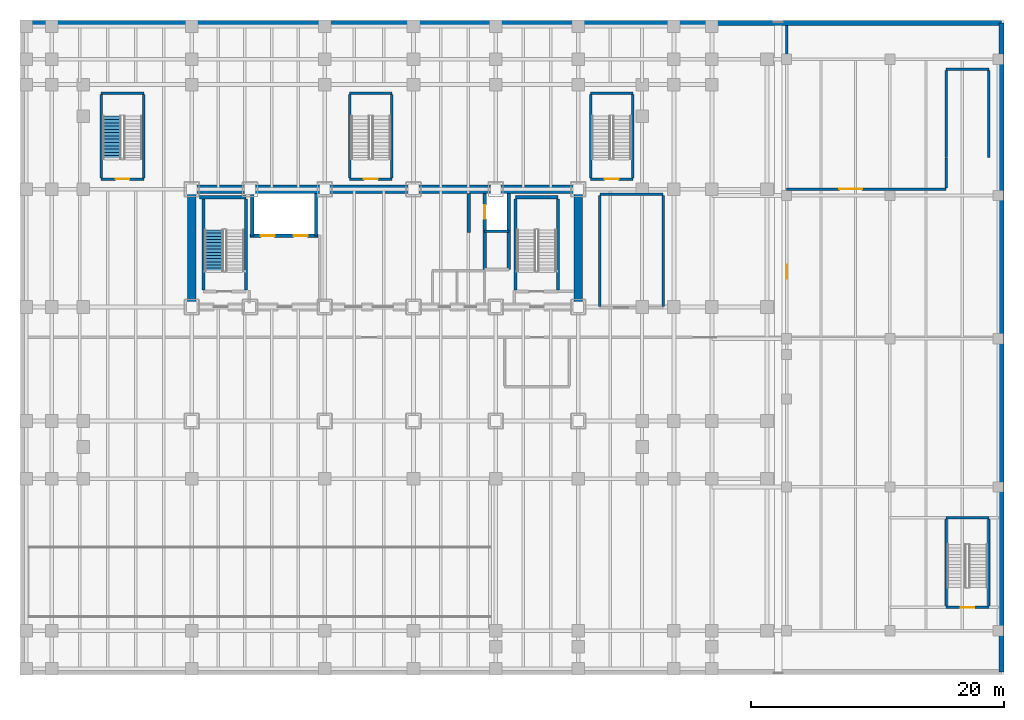
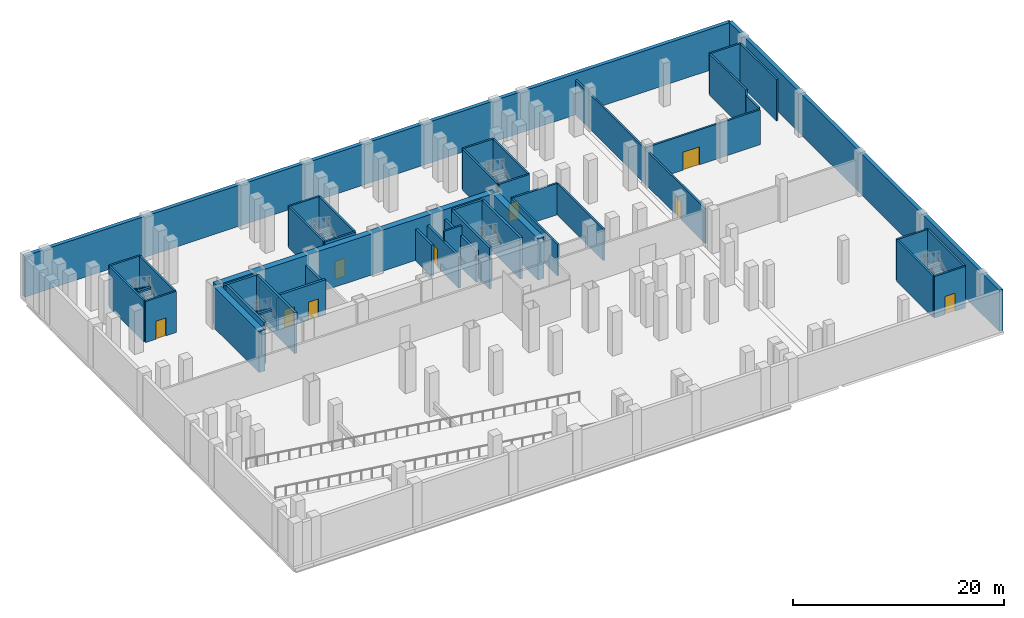
# One storey, part 10 of 18: 43 walls, 9 doors, 2 stair flights, 9 openings, 2 elements without a shape of their own.
"""IFC4 building model written with IfcOpenShell, lengths in metres."""

from ifc_helpers import new_model, si_unit, direction, frame, frame_2d, origin, place, context, subcontext, project, spatial, polyline, rectangle, outline, extrude, material, layer, layer_set, type_object, element, fill, aggregate, save


model = new_model("IFC4")

# Units and contexts
model_context = context("Model", 3, precision=1e-05, world=origin(), true_north=direction((0.0, 1.0)))
body_context = subcontext(model_context, "Body", "Model", "MODEL_VIEW")
ifc_project = project(units=[si_unit("LENGTHUNIT", "METRE"), si_unit("AREAUNIT", "SQUARE_METRE"), si_unit("VOLUMEUNIT", "CUBIC_METRE"), si_unit("PLANEANGLEUNIT", "RADIAN"), si_unit("MASSUNIT", "GRAM", prefix="KILO")], contexts=[model_context])

# Site, building, storey
site_placement = place(None, origin())
site = spatial("IfcSite", under=ifc_project, at=site_placement, CompositionType="ELEMENT")
building_placement = place(site_placement, origin())
building = spatial("IfcBuilding", under=site, at=building_placement, Name="Noeulbin Bourse Tower", CompositionType="ELEMENT")
storey_placement = place(building_placement, frame((0.0, 0.0, -5.0)))
storey = spatial("IfcBuildingStorey", under=building, at=storey_placement, Name="B01", CompositionType="ELEMENT", Elevation=-5.0)

# Walls
ifc_material_1 = material(Name="Concrete C60/75", Category="concrete")
ifc_layer_1 = layer(ifc_material_1, 0.64990234375)
ifc_layer_set_1 = layer_set([ifc_layer_1], Name="Concrete C60/75")
wall_type_1 = type_object("IfcWallType", Name="WAL-CORE-650", PredefinedType="SHEAR", material=ifc_layer_set_1)
wall_1_placement = place(storey_placement, frame((13.5, 38.300048828125, 0.0), z_axis=(0.0, 0.0, 1.0), x_axis=(1.0, 0.0, 0.0)))
element("IfcWall", 1, at=wall_1_placement, inside=storey, type_object=wall_type_1, Name="Rear Core North Shear Wall B01", PredefinedType="SHEAR", context=body_context, shape_type="SweptSolid", body=[
    extrude(rectangle(XDim=30.5, YDim=0.64990234375, at=frame_2d((15.25, 0.0))), origin(), (0.0, 0.0, 1.0), 4.75),
])
for number, where, z_axis, x_axis, name in (
    (2, (13.5, 29.35009765625, 0.0), (0.0, 0.0, 1.0), (0.0, 1.0, 0.0), "Rear Core West Shear Wall B01"),
    (3, (44.0, 29.35009765625, 0.0), (0.0, 0.0, 1.0), (0.0, 1.0, 0.0), "Rear Core East Shear Wall B01"),
):
    element("IfcWall", number, at=place(storey_placement, frame(where, z_axis=z_axis, x_axis=x_axis)), inside=storey, type_object=wall_type_1, Name=name, PredefinedType="SHEAR", context=body_context, shape_type="SweptSolid", body=[
        extrude(rectangle(XDim=8.599853515625, YDim=0.64990234375, at=frame_2d((4.2998046875, 0.0))), origin(), (0.0, 0.0, 1.0), 4.75),
    ])
ifc_material_2 = material(Name="Concrete C40/50", Category="concrete")
ifc_layer_2 = layer(ifc_material_2, 0.199951171875)
ifc_layer_set_2 = layer_set([ifc_layer_2], Name="Concrete C40/50")
wall_type_2 = type_object("IfcWallType", Name="WAL-FIRE-200", PredefinedType="STANDARD", material=ifc_layer_set_2)
wall_2_placement = place(storey_placement, frame((73.02001953125, 47.760009765625, 0.0), z_axis=(0.0, 0.0, 1.0), x_axis=(1.0, 0.0, 0.0)))
element("IfcWall", 4, at=wall_2_placement, inside=storey, type_object=wall_type_2, Name="Stair MST2 Substructure Shear Pier N B01", PredefinedType="STANDARD", context=body_context, shape_type="SweptSolid", body=[
    extrude(rectangle(XDim=3.39990234375, YDim=0.199951171875, at=frame_2d((1.699951171875, 0.0))), origin(), (0.0, 0.0, 1.0), 4.780029296875),
])
for number, where, z_axis, x_axis, name in (
    (5, (73.0400390625, 40.800048828125, 0.0), (0.0, 0.0, 1.0), (0.0, 1.0, 0.0), "Stair MST2 Substructure Shear Pier W B01"),
    (6, (76.39990234375, 40.800048828125, 0.0), (0.0, 0.0, 1.0), (0.0, 1.0, 0.0), "Stair MST2 Substructure Shear Pier E B01"),
):
    element("IfcWall", number, at=place(storey_placement, frame(where, z_axis=z_axis, x_axis=x_axis)), inside=storey, type_object=wall_type_2, Name=name, PredefinedType="STANDARD", context=body_context, shape_type="SweptSolid", body=[
        extrude(rectangle(XDim=6.85986328125, YDim=0.199951171875, at=frame_2d((3.429931640625, 0.0))), origin(), (0.0, 0.0, 1.0), 4.780029296875),
    ])

# Wall, opening, door
wall_3_placement = place(storey_placement, frame((6.360107421875, 39.10009765625, 0.0), z_axis=(0.0, 0.0, 1.0), x_axis=(1.0, 0.0, 0.0)))
wall_3 = element("IfcWall", 7, at=wall_3_placement, inside=storey, type_object=wall_type_2, Name="Stair STS1 South Wall B01", PredefinedType="STANDARD", context=body_context, shape_type="SweptSolid", body=[
    extrude(rectangle(XDim=3.35986328125, YDim=0.199951171875, at=frame_2d((1.679931640625, 0.0))), origin(), (0.0, 0.0, 1.0), 4.75),
])
opening_1_placement = place(wall_3_placement, frame((1.1298828125, 0.0, 0.0)))
opening_1 = element("IfcOpeningElement", 8, at=opening_1_placement, cuts=wall_3, Name="Opening FD-11", PredefinedType="OPENING", context=body_context, shape_type="SweptSolid", body=[
    extrude(rectangle(XDim=1.10009765625, YDim=2.080078125, at=frame_2d((0.550048828125, 1.0400390625))), frame((0.0, 0.10986328125, 0.0), z_axis=(0.0, -1.0, 0.0), x_axis=(1.0, 0.0, 0.0)), (0.0, 0.0, 1.0), 0.219970703125),
])
ifc_material_3 = material(Name="Fire-Rated Insulated Steel", Category="steel")
door_type_1 = type_object("IfcDoorType", Name="DR-FD60-1100", OperationType="SINGLE_SWING_LEFT", PredefinedType="DOOR", material=ifc_material_3)
door_1_placement = place(opening_1_placement, origin())
door_1 = element("IfcDoor", 9, at=door_1_placement, inside=storey, type_object=door_type_1, Name="Escape Stair Door STS1-B01", OperationType="SINGLE_SWING_RIGHT", OverallHeight=2.080078125, OverallWidth=1.10009765625, PredefinedType="DOOR", context=body_context, shape_type="SweptSolid", body=[
    extrude(rectangle(XDim=1.10009765625, YDim=2.080078125, at=frame_2d((0.550048828125, 1.0400390625))), frame((0.0, 0.02490234375, 0.0), z_axis=(0.0, -1.0, 0.0), x_axis=(1.0, 0.0, 0.0)), (0.0, 0.0, 1.0), 0.050048828125),
])
fill(opening_1, door_1)

# Walls
wall_4_placement = place(storey_placement, frame((6.360107421875, 45.8798828125, 0.0), z_axis=(0.0, 0.0, 1.0), x_axis=(1.0, 0.0, 0.0)))
element("IfcWall", 10, at=wall_4_placement, inside=storey, type_object=wall_type_2, Name="Stair STS1 North Wall B01", PredefinedType="STANDARD", context=body_context, shape_type="SweptSolid", body=[
    extrude(rectangle(XDim=3.35986328125, YDim=0.199951171875, at=frame_2d((1.679931640625, 0.0))), origin(), (0.0, 0.0, 1.0), 4.75),
])
for number, where, z_axis, x_axis, name in (
    (11, (6.3798828125, 39.199951171875, 0.0), (0.0, 0.0, 1.0), (0.0, 1.0, 0.0), "Stair STS1 West Wall B01"),
    (12, (9.699951171875, 39.199951171875, 0.0), (0.0, 0.0, 1.0), (0.0, 1.0, 0.0), "Stair STS1 East Wall B01"),
):
    element("IfcWall", number, at=place(storey_placement, frame(where, z_axis=z_axis, x_axis=x_axis)), inside=storey, type_object=wall_type_2, Name=name, PredefinedType="STANDARD", context=body_context, shape_type="SweptSolid", body=[
        extrude(rectangle(XDim=6.580078125, YDim=0.199951171875, at=frame_2d((3.2900390625, 0.0))), origin(), (0.0, 0.0, 1.0), 4.75),
    ])

# Wall, opening, door
wall_5_placement = place(storey_placement, frame((25.9599609375, 39.10009765625, 0.0), z_axis=(0.0, 0.0, 1.0), x_axis=(1.0, 0.0, 0.0)))
wall_5 = element("IfcWall", 13, at=wall_5_placement, inside=storey, type_object=wall_type_2, Name="Stair STS2 South Wall B01", PredefinedType="STANDARD", context=body_context, shape_type="SweptSolid", body=[
    extrude(rectangle(XDim=3.360107421875, YDim=0.199951171875, at=frame_2d((1.68017578125, 0.0))), origin(), (0.0, 0.0, 1.0), 4.75),
])
opening_2_placement = place(wall_5_placement, frame((1.1298828125, 0.0, 0.0)))
opening_2 = element("IfcOpeningElement", 14, at=opening_2_placement, cuts=wall_5, Name="Opening FD-11", PredefinedType="OPENING", context=body_context, shape_type="SweptSolid", body=[
    extrude(rectangle(XDim=1.10009765625, YDim=2.080078125, at=frame_2d((0.550048828125, 1.0400390625))), frame((0.0, 0.10986328125, 0.0), z_axis=(0.0, -1.0, 0.0), x_axis=(1.0, 0.0, 0.0)), (0.0, 0.0, 1.0), 0.219970703125),
])
door_2_placement = place(opening_2_placement, origin())
door_2 = element("IfcDoor", 15, at=door_2_placement, inside=storey, type_object=door_type_1, Name="Escape Stair Door STS2-B01", OperationType="SINGLE_SWING_RIGHT", OverallHeight=2.080078125, OverallWidth=1.10009765625, PredefinedType="DOOR", context=body_context, shape_type="SweptSolid", body=[
    extrude(rectangle(XDim=1.10009765625, YDim=2.080078125, at=frame_2d((0.550048828125, 1.0400390625))), frame((0.0, 0.02490234375, 0.0), z_axis=(0.0, -1.0, 0.0), x_axis=(1.0, 0.0, 0.0)), (0.0, 0.0, 1.0), 0.050048828125),
])
fill(opening_2, door_2)

# Walls
wall_6_placement = place(storey_placement, frame((25.9599609375, 45.8798828125, 0.0), z_axis=(0.0, 0.0, 1.0), x_axis=(1.0, 0.0, 0.0)))
element("IfcWall", 16, at=wall_6_placement, inside=storey, type_object=wall_type_2, Name="Stair STS2 North Wall B01", PredefinedType="STANDARD", context=body_context, shape_type="SweptSolid", body=[
    extrude(rectangle(XDim=3.360107421875, YDim=0.199951171875, at=frame_2d((1.68017578125, 0.0))), origin(), (0.0, 0.0, 1.0), 4.75),
])
for number, where, z_axis, x_axis, name in (
    (17, (25.97998046875, 39.199951171875, 0.0), (0.0, 0.0, 1.0), (0.0, 1.0, 0.0), "Stair STS2 West Wall B01"),
    (18, (29.300048828125, 39.199951171875, 0.0), (0.0, 0.0, 1.0), (0.0, 1.0, 0.0), "Stair STS2 East Wall B01"),
):
    element("IfcWall", number, at=place(storey_placement, frame(where, z_axis=z_axis, x_axis=x_axis)), inside=storey, type_object=wall_type_2, Name=name, PredefinedType="STANDARD", context=body_context, shape_type="SweptSolid", body=[
        extrude(rectangle(XDim=6.580078125, YDim=0.199951171875, at=frame_2d((3.2900390625, 0.0))), origin(), (0.0, 0.0, 1.0), 4.75),
    ])

# Wall, opening, door
wall_7_placement = place(storey_placement, frame((44.9599609375, 39.10009765625, 0.0), z_axis=(0.0, 0.0, 1.0), x_axis=(1.0, 0.0, 0.0)))
wall_7 = element("IfcWall", 19, at=wall_7_placement, inside=storey, type_object=wall_type_2, Name="Stair STS3 South Wall B01", PredefinedType="STANDARD", context=body_context, shape_type="SweptSolid", body=[
    extrude(rectangle(XDim=3.360107421875, YDim=0.199951171875, at=frame_2d((1.68017578125, 0.0))), origin(), (0.0, 0.0, 1.0), 4.75),
])
opening_3_placement = place(wall_7_placement, frame((1.1298828125, 0.0, 0.0)))
opening_3 = element("IfcOpeningElement", 20, at=opening_3_placement, cuts=wall_7, Name="Opening FD-11", PredefinedType="OPENING", context=body_context, shape_type="SweptSolid", body=[
    extrude(rectangle(XDim=1.10009765625, YDim=2.080078125, at=frame_2d((0.550048828125, 1.0400390625))), frame((0.0, 0.10986328125, 0.0), z_axis=(0.0, -1.0, 0.0), x_axis=(1.0, 0.0, 0.0)), (0.0, 0.0, 1.0), 0.219970703125),
])
door_3_placement = place(opening_3_placement, origin())
door_3 = element("IfcDoor", 21, at=door_3_placement, inside=storey, type_object=door_type_1, Name="Escape Stair Door STS3-B01", OperationType="SINGLE_SWING_RIGHT", OverallHeight=2.080078125, OverallWidth=1.10009765625, PredefinedType="DOOR", context=body_context, shape_type="SweptSolid", body=[
    extrude(rectangle(XDim=1.10009765625, YDim=2.080078125, at=frame_2d((0.550048828125, 1.0400390625))), frame((0.0, 0.02490234375, 0.0), z_axis=(0.0, -1.0, 0.0), x_axis=(1.0, 0.0, 0.0)), (0.0, 0.0, 1.0), 0.050048828125),
])
fill(opening_3, door_3)

# Walls
wall_8_placement = place(storey_placement, frame((44.9599609375, 45.8798828125, 0.0), z_axis=(0.0, 0.0, 1.0), x_axis=(1.0, 0.0, 0.0)))
element("IfcWall", 22, at=wall_8_placement, inside=storey, type_object=wall_type_2, Name="Stair STS3 North Wall B01", PredefinedType="STANDARD", context=body_context, shape_type="SweptSolid", body=[
    extrude(rectangle(XDim=3.360107421875, YDim=0.199951171875, at=frame_2d((1.68017578125, 0.0))), origin(), (0.0, 0.0, 1.0), 4.75),
])
for number, where, z_axis, x_axis, name in (
    (23, (44.97998046875, 39.199951171875, 0.0), (0.0, 0.0, 1.0), (0.0, 1.0, 0.0), "Stair STS3 West Wall B01"),
    (24, (48.300048828125, 39.199951171875, 0.0), (0.0, 0.0, 1.0), (0.0, 1.0, 0.0), "Stair STS3 East Wall B01"),
):
    element("IfcWall", number, at=place(storey_placement, frame(where, z_axis=z_axis, x_axis=x_axis)), inside=storey, type_object=wall_type_2, Name=name, PredefinedType="STANDARD", context=body_context, shape_type="SweptSolid", body=[
        extrude(rectangle(XDim=6.580078125, YDim=0.199951171875, at=frame_2d((3.2900390625, 0.0))), origin(), (0.0, 0.0, 1.0), 4.75),
    ])

# Wall, opening, door
wall_9_placement = place(storey_placement, frame((73.02001953125, 5.300048828125, 0.0), z_axis=(0.0, 0.0, 1.0), x_axis=(1.0, 0.0, 0.0)))
wall_9 = element("IfcWall", 25, at=wall_9_placement, inside=storey, type_object=wall_type_2, Name="Stair MST1 South Wall B01", PredefinedType="STANDARD", context=body_context, shape_type="SweptSolid", body=[
    extrude(rectangle(XDim=3.39990234375, YDim=0.199951171875, at=frame_2d((1.699951171875, 0.0))), origin(), (0.0, 0.0, 1.0), 4.780029296875),
])
opening_4_placement = place(wall_9_placement, frame((1.14990234375, 0.0, 0.0)))
opening_4 = element("IfcOpeningElement", 26, at=opening_4_placement, cuts=wall_9, Name="Opening FD-11", PredefinedType="OPENING", context=body_context, shape_type="SweptSolid", body=[
    extrude(rectangle(XDim=1.10009765625, YDim=2.080078125, at=frame_2d((0.550048828125, 1.0400390625))), frame((0.0, 0.10986328125, 0.0), z_axis=(0.0, -1.0, 0.0), x_axis=(1.0, 0.0, 0.0)), (0.0, 0.0, 1.0), 0.219970703125),
])
door_4_placement = place(opening_4_placement, origin())
door_4 = element("IfcDoor", 27, at=door_4_placement, inside=storey, type_object=door_type_1, Name="Escape Stair Door MST1-B01", OperationType="SINGLE_SWING_RIGHT", OverallHeight=2.080078125, OverallWidth=1.10009765625, PredefinedType="DOOR", context=body_context, shape_type="SweptSolid", body=[
    extrude(rectangle(XDim=1.10009765625, YDim=2.080078125, at=frame_2d((0.550048828125, 1.0400390625))), frame((0.0, 0.02490234375, 0.0), z_axis=(0.0, -1.0, 0.0), x_axis=(1.0, 0.0, 0.0)), (0.0, 0.0, 1.0), 0.050048828125),
])
fill(opening_4, door_4)

# Walls
wall_10_placement = place(storey_placement, frame((73.02001953125, 12.360107421875, 0.0), z_axis=(0.0, 0.0, 1.0), x_axis=(1.0, 0.0, 0.0)))
element("IfcWall", 28, at=wall_10_placement, inside=storey, type_object=wall_type_2, Name="Stair MST1 North Wall B01", PredefinedType="STANDARD", context=body_context, shape_type="SweptSolid", body=[
    extrude(rectangle(XDim=3.39990234375, YDim=0.199951171875, at=frame_2d((1.699951171875, 0.0))), origin(), (0.0, 0.0, 1.0), 4.780029296875),
])
for number, where, z_axis, x_axis, name in (
    (29, (73.0400390625, 5.39990234375, 0.0), (0.0, 0.0, 1.0), (0.0, 1.0, 0.0), "Stair MST1 West Wall B01"),
    (30, (76.39990234375, 5.39990234375, 0.0), (0.0, 0.0, 1.0), (0.0, 1.0, 0.0), "Stair MST1 East Wall B01"),
):
    element("IfcWall", number, at=place(storey_placement, frame(where, z_axis=z_axis, x_axis=x_axis)), inside=storey, type_object=wall_type_2, Name=name, PredefinedType="STANDARD", context=body_context, shape_type="SweptSolid", body=[
        extrude(rectangle(XDim=6.860107421875, YDim=0.199951171875, at=frame_2d((3.43017578125, 0.0))), origin(), (0.0, 0.0, 1.0), 4.780029296875),
    ])
wall_11_placement = place(storey_placement, frame((45.699951171875, 37.89990234375, 0.0), z_axis=(0.0, 0.0, 1.0), x_axis=(1.0, 0.0, 0.0)))
element("IfcWall", 31, at=wall_11_placement, inside=storey, type_object=wall_type_2, Name="Interior Partition Wall B01-04", PredefinedType="STANDARD", context=body_context, shape_type="SweptSolid", body=[
    extrude(rectangle(XDim=5.0, YDim=0.199951171875, at=frame_2d((2.5, 0.0))), origin(), (0.0, 0.0, 1.0), 3.6298828125),
])

# Wall, opening, door
wall_12_placement = place(storey_placement, frame((60.449951171875, 38.300048828125, 0.0), z_axis=(0.0, 0.0, 1.0), x_axis=(1.0, 0.0, 0.0)))
wall_12 = element("IfcWall", 32, at=wall_12_placement, inside=storey, type_object=wall_type_2, Name="Interior Partition Wall B01-05", PredefinedType="STANDARD", context=body_context, shape_type="SweptSolid", body=[
    extrude(rectangle(XDim=12.590087890625, YDim=0.199951171875, at=frame_2d((6.294921875, 0.0))), origin(), (0.0, 0.0, 1.0), 4.030029296875),
])
opening_5_placement = place(wall_12_placement, frame((4.14990234375, 0.0, 0.0)))
opening_5 = element("IfcOpeningElement", 33, at=opening_5_placement, cuts=wall_12, Name="Opening ID-18", PredefinedType="OPENING", context=body_context, shape_type="SweptSolid", body=[
    extrude(rectangle(XDim=1.800048828125, YDim=2.080078125, at=frame_2d((0.89990234375, 1.0400390625))), frame((0.0, 0.10986328125, 0.0), z_axis=(0.0, -1.0, 0.0), x_axis=(1.0, 0.0, 0.0)), (0.0, 0.0, 1.0), 0.219970703125),
])
ifc_material_4 = material(Name="Fire-Rated Glazed Steel", Category="steel")
door_type_2 = type_object("IfcDoorType", Name="DR-DBL-1800", OperationType="DOUBLE_DOOR_SINGLE_SWING", PredefinedType="DOOR", material=ifc_material_4)
door_5_placement = place(opening_5_placement, origin())
door_5 = element("IfcDoor", 34, at=door_5_placement, inside=storey, type_object=door_type_2, Name="Interior Door B01-06", OperationType="DOUBLE_DOOR_SINGLE_SWING", OverallHeight=2.080078125, OverallWidth=1.800048828125, PredefinedType="DOOR", context=body_context, shape_type="SweptSolid", body=[
    extrude(rectangle(XDim=1.800048828125, YDim=2.080078125, at=frame_2d((0.89990234375, 1.0400390625))), frame((0.0, 0.02490234375, 0.0), z_axis=(0.0, -1.0, 0.0), x_axis=(1.0, 0.0, 0.0)), (0.0, 0.0, 1.0), 0.050048828125),
])
fill(opening_5, door_5)

# Walls
for number, where, z_axis, x_axis, name in (
    (35, (45.699951171875, 29.06005859375, 0.0), (0.0, 0.0, 1.0), (0.0, 1.0, 0.0), "Interior Partition Wall B01-10"),
    (36, (50.699951171875, 29.06005859375, 0.0), (0.0, 0.0, 1.0), (0.0, 1.0, 0.0), "Interior Partition Wall B01-11"),
):
    element("IfcWall", number, at=place(storey_placement, frame(where, z_axis=z_axis, x_axis=x_axis)), inside=storey, type_object=wall_type_2, Name=name, PredefinedType="STANDARD", context=body_context, shape_type="SweptSolid", body=[
        extrude(rectangle(XDim=8.72998046875, YDim=0.199951171875, at=frame_2d((4.364990234375, 0.0))), origin(), (0.0, 0.0, 1.0), 3.6298828125),
    ])

# Wall, opening, door
wall_13_placement = place(storey_placement, frame((60.449951171875, 26.7099609375, 0.0), z_axis=(0.0, 0.0, 1.0), x_axis=(0.0, 1.0, 0.0)))
wall_13 = element("IfcWall", 37, at=wall_13_placement, inside=storey, type_object=wall_type_2, Name="Interior Partition Wall B01-12", PredefinedType="STANDARD", context=body_context, shape_type="SweptSolid", body=[
    extrude(rectangle(XDim=24.489990234375, YDim=0.199951171875, at=frame_2d((12.2451171875, 0.0))), origin(), (0.0, 0.0, 1.0), 4.030029296875),
])
opening_6_placement = place(wall_13_placement, frame((4.5400390625, 0.0, 0.0)))
opening_6 = element("IfcOpeningElement", 38, at=opening_6_placement, cuts=wall_13, Name="Opening FD-11", PredefinedType="OPENING", context=body_context, shape_type="SweptSolid", body=[
    extrude(rectangle(XDim=1.10009765625, YDim=2.080078125, at=frame_2d((0.550048828125, 1.0400390625))), frame((0.0, 0.10986328125, 0.0), z_axis=(0.0, -1.0, 0.0), x_axis=(1.0, 0.0, 0.0)), (0.0, 0.0, 1.0), 0.219970703125),
])
door_6_placement = place(opening_6_placement, origin())
door_6 = element("IfcDoor", 39, at=door_6_placement, inside=storey, type_object=door_type_1, Name="Interior Door B01-05", OperationType="SINGLE_SWING_LEFT", OverallHeight=2.080078125, OverallWidth=1.10009765625, PredefinedType="DOOR", context=body_context, shape_type="SweptSolid", body=[
    extrude(rectangle(XDim=1.10009765625, YDim=2.080078125, at=frame_2d((0.550048828125, 1.0400390625))), frame((0.0, 0.02490234375, 0.0), z_axis=(0.0, -1.0, 0.0), x_axis=(1.0, 0.0, 0.0)), (0.0, 0.0, 1.0), 0.050048828125),
])
fill(opening_6, door_6)

# Walls
wall_14_placement = place(storey_placement, frame((73.0400390625, 38.409912109375, 0.0), z_axis=(0.0, 0.0, 1.0), x_axis=(0.0, 1.0, 0.0)))
element("IfcWall", 40, at=wall_14_placement, inside=storey, type_object=wall_type_2, Name="Interior Partition Wall B01-13", PredefinedType="STANDARD", context=body_context, shape_type="SweptSolid", body=[
    extrude(rectangle(XDim=2.340087890625, YDim=0.199951171875, at=frame_2d((1.169921875, 0.0))), origin(), (0.0, 0.0, 1.0), 4.159912109375),
])
ifc_material_5 = material(Name="Concrete C50/60", Category="concrete")
ifc_layer_3 = layer(ifc_material_5, 0.39990234375)
ifc_layer_set_3 = layer_set([ifc_layer_3], Name="Concrete C50/60")
wall_type_3 = type_object("IfcWallType", Name="WAL-RET-400", PredefinedType="SOLIDWALL", material=ifc_layer_set_3)
wall_15_placement = place(storey_placement, frame((77.39990234375, 0.199951171875, 0.0), z_axis=(0.0, 0.0, 1.0), x_axis=(0.0, 1.0, 0.0)))
element("IfcWall", 41, at=wall_15_placement, inside=storey, type_object=wall_type_3, Name="Basement Perimeter Retaining Wall B01-E", PredefinedType="SOLIDWALL", context=body_context, shape_type="SweptSolid", body=[
    extrude(rectangle(XDim=51.199951171875, YDim=0.39990234375, at=frame_2d((25.60009765625, 0.0))), origin(), (0.0, 0.0, 1.0), 4.75),
])
wall_16_placement = place(storey_placement, frame((77.39990234375, 51.39990234375, 0.0), z_axis=(0.0, 0.0, 1.0), x_axis=(-1.0, 0.0, 0.0)))
element("IfcWall", 42, at=wall_16_placement, inside=storey, type_object=wall_type_3, Name="Basement Perimeter Retaining Wall B01-N", PredefinedType="SOLIDWALL", context=body_context, shape_type="SweptSolid", body=[
    extrude(rectangle(XDim=77.199951171875, YDim=0.39990234375, at=frame_2d((38.60009765625, 0.0))), origin(), (0.0, 0.0, 1.0), 4.75),
])
ifc_layer_4 = layer(ifc_material_2, 0.25)
ifc_layer_set_4 = layer_set([ifc_layer_4], Name="Concrete C40/50")
wall_type_4 = type_object("IfcWallType", Name="WAL-SHFT-250", PredefinedType="STANDARD", material=ifc_layer_set_4)
wall_17_placement = place(storey_placement, frame((14.10009765625, 37.6689453125, 0.0), z_axis=(0.0, 0.0, 1.0), x_axis=(1.0, 0.0, 0.0)))
element("IfcWall", 43, at=wall_17_placement, inside=storey, type_object=wall_type_4, Name="Stair ST-1 North Shaft Wall B01", PredefinedType="STANDARD", context=body_context, shape_type="SweptSolid", body=[
    extrude(rectangle(XDim=3.669921875, YDim=0.25, at=frame_2d((1.8349609375, 0.0))), origin(), (0.0, 0.0, 1.0), 4.75),
])
for number, where, z_axis, x_axis, name in (
    (44, (14.425048828125, 30.360107421875, 0.0), (0.0, 0.0, 1.0), (0.0, 1.0, 0.0), "Stair ST-1 West Shaft Wall B01"),
    (45, (17.77490234375, 30.360107421875, 0.0), (0.0, 0.0, 1.0), (0.0, 1.0, 0.0), "Stair ST-1 East Shaft Wall B01"),
):
    element("IfcWall", number, at=place(storey_placement, frame(where, z_axis=z_axis, x_axis=x_axis)), inside=storey, type_object=wall_type_4, Name=name, PredefinedType="STANDARD", context=body_context, shape_type="SweptSolid", body=[
        extrude(rectangle(XDim=7.183837890625, YDim=0.25, at=frame_2d((3.591796875, 0.0))), origin(), (0.0, 0.0, 1.0), 4.75),
    ])
wall_18_placement = place(storey_placement, frame((39.06005859375, 37.6689453125, 0.0), z_axis=(0.0, 0.0, 1.0), x_axis=(1.0, 0.0, 0.0)))
element("IfcWall", 46, at=wall_18_placement, inside=storey, type_object=wall_type_4, Name="Stair ST-2 North Shaft Wall B01", PredefinedType="STANDARD", context=body_context, shape_type="SweptSolid", body=[
    extrude(rectangle(XDim=3.33984375, YDim=0.25, at=frame_2d((1.669921875, 0.0))), origin(), (0.0, 0.0, 1.0), 4.75),
])
for number, where, z_axis, x_axis, name in (
    (47, (39.054931640625, 30.360107421875, 0.0), (0.0, 0.0, 1.0), (0.0, 1.0, 0.0), "Stair ST-2 West Shaft Wall B01"),
    (48, (42.405029296875, 30.360107421875, 0.0), (0.0, 0.0, 1.0), (0.0, 1.0, 0.0), "Stair ST-2 East Shaft Wall B01"),
):
    element("IfcWall", number, at=place(storey_placement, frame(where, z_axis=z_axis, x_axis=x_axis)), inside=storey, type_object=wall_type_4, Name=name, PredefinedType="STANDARD", context=body_context, shape_type="SweptSolid", body=[
        extrude(rectangle(XDim=7.183837890625, YDim=0.25, at=frame_2d((3.591796875, 0.0))), origin(), (0.0, 0.0, 1.0), 4.75),
    ])

# Wall, openings, doors
wall_19_placement = place(storey_placement, frame((18.10009765625, 34.6201171875, 0.0), z_axis=(0.0, 0.0, 1.0), x_axis=(1.0, 0.0, 0.0)))
wall_19 = element("IfcWall", 49, at=wall_19_placement, inside=storey, type_object=wall_type_4, Name="Firefighting Lift Shaft Front B01", PredefinedType="STANDARD", context=body_context, shape_type="SweptSolid", body=[
    extrude(rectangle(XDim=5.349853515625, YDim=0.25, at=frame_2d((2.6748046875, 0.0))), origin(), (0.0, 0.0, 1.0), 4.030029296875),
])
opening_7_placement = place(wall_19_placement, frame((0.85009765625, 0.0, 0.0)))
opening_7 = element("IfcOpeningElement", 50, at=opening_7_placement, cuts=wall_19, Name="Opening LD-11", PredefinedType="OPENING", context=body_context, shape_type="SweptSolid", body=[
    extrude(rectangle(XDim=1.10009765625, YDim=2.080078125, at=frame_2d((0.550048828125, 1.0400390625))), frame((0.0, 0.135009765625, 0.0), z_axis=(0.0, -1.0, 0.0), x_axis=(1.0, 0.0, 0.0)), (0.0, 0.0, 1.0), 0.27001953125),
])
opening_8_placement = place(wall_19_placement, frame((3.449951171875, 0.0, 0.0)))
opening_8 = element("IfcOpeningElement", 51, at=opening_8_placement, cuts=wall_19, Name="Opening LD-11", PredefinedType="OPENING", context=body_context, shape_type="SweptSolid", body=[
    extrude(rectangle(XDim=1.10009765625, YDim=2.080078125, at=frame_2d((0.550048828125, 1.0400390625))), frame((0.0, 0.135009765625, 0.0), z_axis=(0.0, -1.0, 0.0), x_axis=(1.0, 0.0, 0.0)), (0.0, 0.0, 1.0), 0.27001953125),
])
ifc_material_6 = material(Name="Brushed Stainless Steel 316", Category="steel")
door_type_3 = type_object("IfcDoorType", Name="DR-LIFT-1100", OperationType="SLIDING_TO_LEFT", PredefinedType="DOOR", material=ifc_material_6)
door_7_placement = place(opening_7_placement, origin())
door_7 = element("IfcDoor", 52, at=door_7_placement, inside=storey, type_object=door_type_3, Name="Lift Landing Door LD-FL-01-B01", OperationType="SLIDING_TO_LEFT", OverallHeight=2.080078125, OverallWidth=1.10009765625, PredefinedType="DOOR", context=body_context, shape_type="SweptSolid", body=[
    extrude(rectangle(XDim=1.10009765625, YDim=2.080078125, at=frame_2d((0.550048828125, 1.0400390625))), frame((0.0, 0.02490234375, 0.0), z_axis=(0.0, -1.0, 0.0), x_axis=(1.0, 0.0, 0.0)), (0.0, 0.0, 1.0), 0.050048828125),
])
fill(opening_7, door_7)
door_8_placement = place(opening_8_placement, origin())
door_8 = element("IfcDoor", 53, at=door_8_placement, inside=storey, type_object=door_type_3, Name="Lift Landing Door LD-FL-02-B01", OperationType="SLIDING_TO_LEFT", OverallHeight=2.080078125, OverallWidth=1.10009765625, PredefinedType="DOOR", context=body_context, shape_type="SweptSolid", body=[
    extrude(rectangle(XDim=1.10009765625, YDim=2.080078125, at=frame_2d((0.550048828125, 1.0400390625))), frame((0.0, 0.02490234375, 0.0), z_axis=(0.0, -1.0, 0.0), x_axis=(1.0, 0.0, 0.0)), (0.0, 0.0, 1.0), 0.050048828125),
])
fill(opening_8, door_8)

# Wall, opening, door
wall_20_placement = place(storey_placement, frame((36.6201171875, 31.949951171875, 0.0), z_axis=(0.0, 0.0, 1.0), x_axis=(0.0, 1.0, 0.0)))
wall_20 = element("IfcWall", 54, at=wall_20_placement, inside=storey, type_object=wall_type_4, Name="Service Lift Shaft Wall B01", PredefinedType="STANDARD", context=body_context, shape_type="SweptSolid", body=[
    extrude(rectangle(XDim=6.0, YDim=0.25, at=frame_2d((3.0, 0.0))), origin(), (0.0, 0.0, 1.0), 3.6298828125),
])
opening_9_placement = place(wall_20_placement, frame((4.0, 0.0, 0.0)))
opening_9 = element("IfcOpeningElement", 55, at=opening_9_placement, cuts=wall_20, Name="Opening LD-11", PredefinedType="OPENING", context=body_context, shape_type="SweptSolid", body=[
    extrude(rectangle(XDim=1.10009765625, YDim=2.080078125, at=frame_2d((0.550048828125, 1.0400390625))), frame((0.0, 0.135009765625, 0.0), z_axis=(0.0, -1.0, 0.0), x_axis=(1.0, 0.0, 0.0)), (0.0, 0.0, 1.0), 0.27001953125),
])
door_9_placement = place(opening_9_placement, origin())
door_9 = element("IfcDoor", 56, at=door_9_placement, inside=storey, type_object=door_type_3, Name="Lift Landing Door LD-SV-01-B01", OperationType="SLIDING_TO_LEFT", OverallHeight=2.080078125, OverallWidth=1.10009765625, PredefinedType="DOOR", context=body_context, shape_type="SweptSolid", body=[
    extrude(rectangle(XDim=1.10009765625, YDim=2.080078125, at=frame_2d((0.550048828125, 1.0400390625))), frame((0.0, 0.02490234375, 0.0), z_axis=(0.0, -1.0, 0.0), x_axis=(1.0, 0.0, 0.0)), (0.0, 0.0, 1.0), 0.050048828125),
])
fill(opening_9, door_9)

# Walls
wall_21_placement = place(storey_placement, frame((38.52001953125, 31.949951171875, 0.0), z_axis=(0.0, 0.0, 1.0), x_axis=(0.0, 1.0, 0.0)))
element("IfcWall", 57, at=wall_21_placement, inside=storey, type_object=wall_type_4, Name="Service Lift East Shaft Wall B01", PredefinedType="STANDARD", context=body_context, shape_type="SweptSolid", body=[
    extrude(rectangle(XDim=6.0, YDim=0.25, at=frame_2d((3.0, 0.0))), origin(), (0.0, 0.0, 1.0), 3.6298828125),
])
for number, where, z_axis, x_axis, name in (
    (58, (18.280029296875, 34.6201171875, 0.0), (0.0, 0.0, 1.0), (0.0, 1.0, 0.0), "Firefighting Lift West Shaft Wall B01"),
    (59, (23.320068359375, 34.6201171875, 0.0), (0.0, 0.0, 1.0), (0.0, 1.0, 0.0), "Firefighting Lift East Shaft Wall B01"),
):
    element("IfcWall", number, at=place(storey_placement, frame(where, z_axis=z_axis, x_axis=x_axis)), inside=storey, type_object=wall_type_4, Name=name, PredefinedType="STANDARD", context=body_context, shape_type="SweptSolid", body=[
        extrude(rectangle(XDim=3.329833984375, YDim=0.25, at=frame_2d((1.6650390625, 0.0))), origin(), (0.0, 0.0, 1.0), 3.6298828125),
    ])
wall_22_placement = place(storey_placement, frame((35.360107421875, 34.89990234375, 0.0), z_axis=(0.0, 0.0, 1.0), x_axis=(0.0, 1.0, 0.0)))
element("IfcWall", 60, at=wall_22_placement, inside=storey, type_object=wall_type_4, Name="High-Rise Lift East Shaft Wall B01", PredefinedType="STANDARD", context=body_context, shape_type="SweptSolid", body=[
    extrude(rectangle(XDim=3.050048828125, YDim=0.25, at=frame_2d((1.52490234375, 0.0))), origin(), (0.0, 0.0, 1.0), 3.6298828125),
])
wall_23_placement = place(storey_placement, frame((36.6201171875, 34.97998046875, 0.0), z_axis=(0.0, 0.0, 1.0), x_axis=(1.0, 0.0, 0.0)))
element("IfcWall", 61, at=wall_23_placement, inside=storey, type_object=wall_type_4, Name="Service Lift Sub-South Wall B01", PredefinedType="STANDARD", context=body_context, shape_type="SweptSolid", body=[
    extrude(rectangle(XDim=1.89990234375, YDim=0.199951171875, at=frame_2d((0.949951171875, 0.0))), origin(), (0.0, 0.0, 1.0), 4.75),
])

# Stair, stair flight
stair_type_1 = type_object("IfcStairType", Name="STR-AUX-1620", PredefinedType="HALF_TURN_STAIR", material=ifc_material_2)
stair_1_placement = place(storey_placement, origin())
stair_1 = element("IfcStair", 62, at=stair_1_placement, inside=storey, type_object=stair_type_1, Name="B01 ST-S1", PredefinedType="HALF_TURN_STAIR")
stair_flight_type_1 = type_object("IfcStairFlightType", Name="SFL-AUX-1620", PredefinedType="STRAIGHT", material=ifc_material_2)
stair_flight_1_placement = place(storey_placement, frame((7.2099609375, 44.06005859375, 2.5), z_axis=(0.0, 0.0, 1.0), x_axis=(0.0, -1.0, 0.0)))
stair_flight_1 = element("IfcStairFlight", 63, at=stair_flight_1_placement, type_object=stair_flight_type_1, Name="ST-S1 flight 2", NumberOfRisers=14, NumberOfTreads=13, PredefinedType="STRAIGHT", RiserHeight=0.178571429, TreadLength=0.26, context=body_context, shape_type="SweptSolid", body=[
    extrude(outline(polyline([(0.0, 0.0), (0.0, 0.178466796875), (0.260009765625, 0.178466796875), (0.260009765625, 0.357177734375), (0.52001953125, 0.357177734375), (0.52001953125, 0.53564453125), (0.780029296875, 0.53564453125), (0.780029296875, 0.71435546875), (1.0400390625, 0.71435546875), (1.0400390625, 0.892822265625), (1.300048828125, 0.892822265625), (1.300048828125, 1.071533203125), (1.56005859375, 1.071533203125), (1.56005859375, 1.25), (1.820068359375, 1.25), (1.820068359375, 1.428466796875), (2.080078125, 1.428466796875), (2.080078125, 1.607177734375), (2.340087890625, 1.607177734375), (2.340087890625, 1.78564453125), (2.60009765625, 1.78564453125), (2.60009765625, 1.96435546875), (2.860107421875, 1.96435546875), (2.860107421875, 2.142822265625), (3.1201171875, 2.142822265625), (3.1201171875, 2.321533203125), (3.3798828125, 2.321533203125), (3.3798828125, 2.5), (3.3798828125, 2.10302734375), (0.31787109375, 0.0), (0.0, 0.0)])), frame((0.0, 0.72998046875, 0.0), z_axis=(0.0, -1.0, 0.0), x_axis=(1.0, 0.0, 0.0)), (0.0, 0.0, 1.0), 1.4599609375),
])
aggregate(stair_1, [stair_flight_1])

stair_type_2 = type_object("IfcStairType", Name="STR-CORE-1560", PredefinedType="HALF_TURN_STAIR", material=ifc_material_2)
stair_2_placement = place(storey_placement, origin())
stair_2 = element("IfcStair", 64, at=stair_2_placement, inside=storey, type_object=stair_type_2, Name="B01 ST-1", PredefinedType="HALF_TURN_STAIR")
stair_flight_type_2 = type_object("IfcStairFlightType", Name="SFL-CORE-1560", PredefinedType="STRAIGHT", material=ifc_material_2)
stair_flight_2_placement = place(storey_placement, frame((15.27490234375, 35.0859375, 2.5), z_axis=(0.0, 0.0, 1.0), x_axis=(0.0, -1.0, 0.0)))
stair_flight_2 = element("IfcStairFlight", 65, at=stair_flight_2_placement, type_object=stair_flight_type_2, Name="ST-1 flight 2", NumberOfRisers=14, NumberOfTreads=13, PredefinedType="STRAIGHT", RiserHeight=0.178571429, TreadLength=0.252, context=body_context, shape_type="SweptSolid", body=[
    extrude(outline(polyline([(0.0, 0.0), (0.0, 0.178466796875), (0.251953125, 0.178466796875), (0.251953125, 0.357177734375), (0.50390625, 0.357177734375), (0.50390625, 0.53564453125), (0.756103515625, 0.53564453125), (0.756103515625, 0.71435546875), (1.008056640625, 0.71435546875), (1.008056640625, 0.892822265625), (1.260009765625, 0.892822265625), (1.260009765625, 1.071533203125), (1.511962890625, 1.071533203125), (1.511962890625, 1.25), (1.763916015625, 1.25), (1.763916015625, 1.428466796875), (2.01611328125, 1.428466796875), (2.01611328125, 1.607177734375), (2.26806640625, 1.607177734375), (2.26806640625, 1.78564453125), (2.52001953125, 1.78564453125), (2.52001953125, 1.96435546875), (2.77197265625, 1.96435546875), (2.77197265625, 2.142822265625), (3.02392578125, 2.142822265625), (3.02392578125, 2.321533203125), (3.27587890625, 2.321533203125), (3.27587890625, 2.5), (3.27587890625, 2.100830078125), (0.311279296875, 0.0), (0.0, 0.0)])), frame((0.0, 0.72509765625, 0.0), z_axis=(0.0, -1.0, 0.0), x_axis=(1.0, 0.0, 0.0)), (0.0, 0.0, 1.0), 1.449951171875),
])
aggregate(stair_2, [stair_flight_2])

save(model, "model.ifc")
